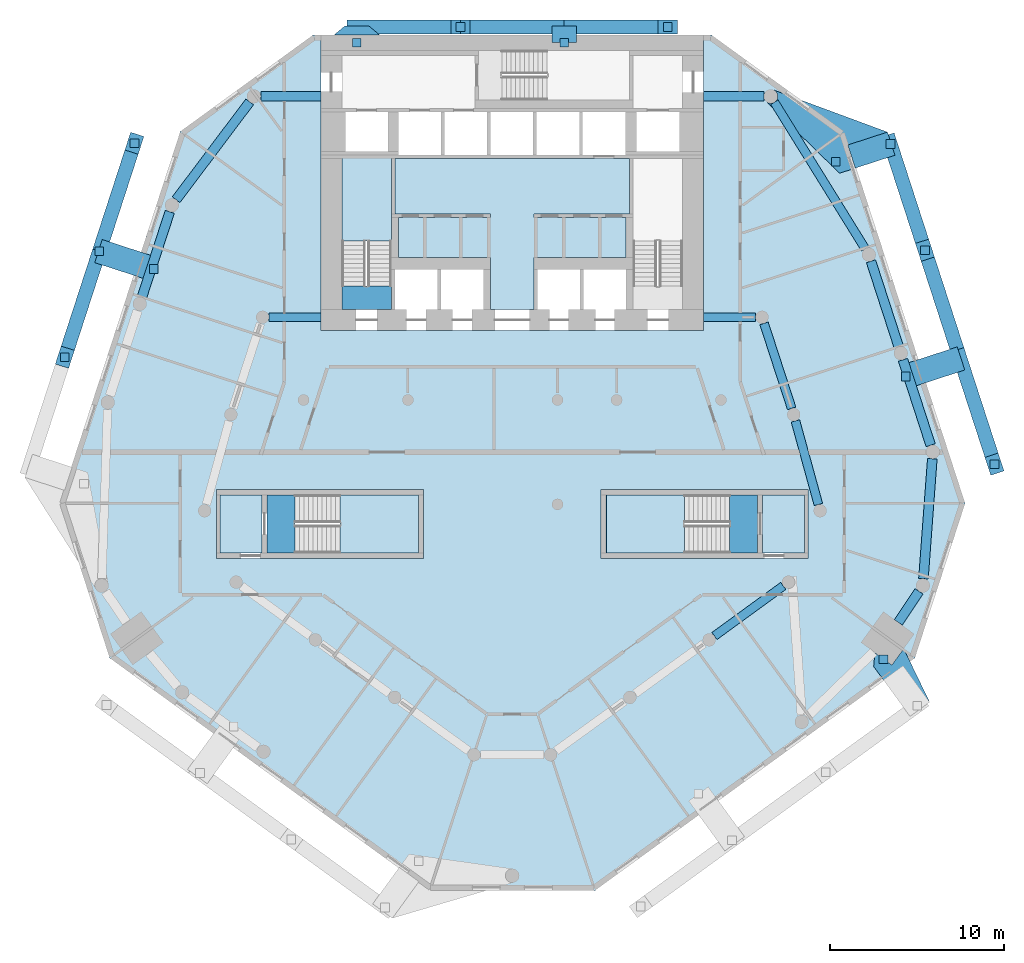
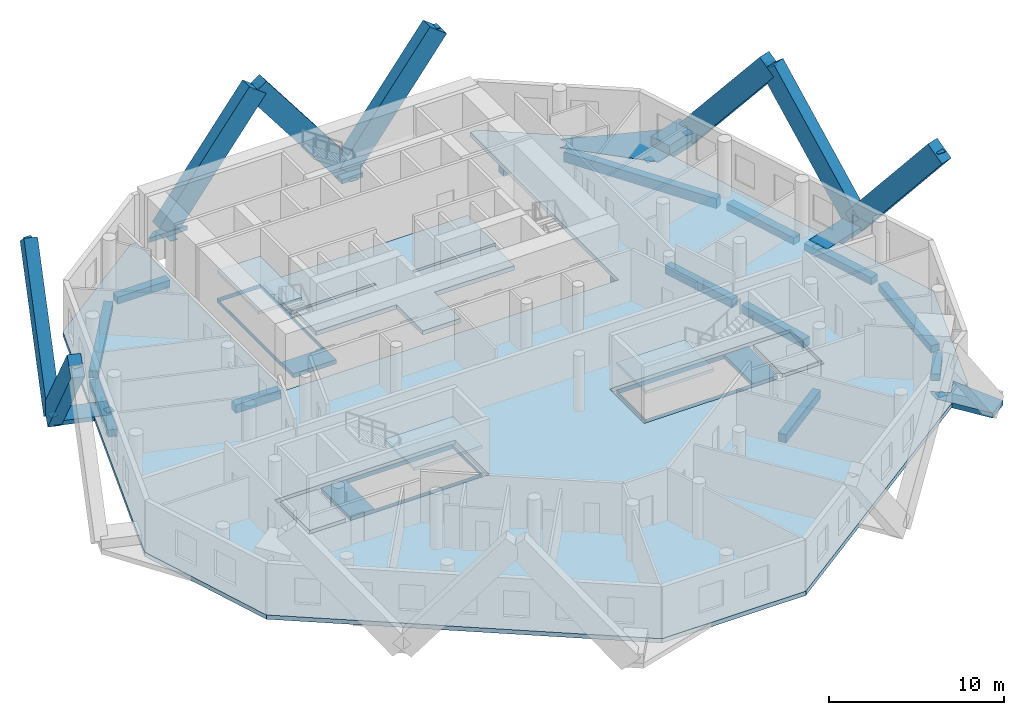
# One storey, part 2 of 10: 15 members, 14 beams, 14 discrete accessories, 10 slabs, 3 elements without a shape of their own.
"""IFC4 building model written with IfcOpenShell, lengths in metres."""

from ifc_helpers import new_model, si_unit, direction, frame, origin, origin_2d, place, context, subcontext, project, spatial, polyline, rectangle, outline, extrude, material, layer, layer_set, material_profile, profile_set, type_object, element, aggregate, save


model = new_model("IFC4")

# Units and contexts
model_context = context("Model", 3, precision=1e-05, world=origin(), true_north=direction((0.0, 1.0)))
body_context = subcontext(model_context, "Body", "Model", "MODEL_VIEW")
ifc_project = project(units=[si_unit("LENGTHUNIT", "METRE"), si_unit("AREAUNIT", "SQUARE_METRE"), si_unit("VOLUMEUNIT", "CUBIC_METRE"), si_unit("PLANEANGLEUNIT", "RADIAN"), si_unit("MASSUNIT", "GRAM", prefix="KILO")], contexts=[model_context])

# Site, building, storey
site_placement = place(None, origin())
site = spatial("IfcSite", under=ifc_project, at=site_placement, CompositionType="ELEMENT")
building_placement = place(site_placement, origin())
building = spatial("IfcBuilding", under=site, at=building_placement, Name="White Candle Pilgrim Tower", CompositionType="ELEMENT")
storey_placement = place(building_placement, frame((0.0, 0.0, 78.0)))
storey = spatial("IfcBuildingStorey", under=building, at=storey_placement, Name="L16", CompositionType="ELEMENT", Elevation=78.0)

# Member
ifc_material_1 = material(Name="Concrete C80/95, white", Category="concrete")
ifc_material_profile_1 = material_profile(ifc_material_1, rectangle(XDim=0.800048828125, YDim=1.39990234375, at=origin_2d()), Name="RC-DG 800x1400")
ifc_profile_set_1 = profile_set([ifc_material_profile_1], Name="Concrete C80/95, white")
member_type_1 = type_object("IfcMemberType", Name="Exoskeleton diagonal RC-DG 800x1400 C80/95", PredefinedType="BRACE", material=ifc_profile_set_1)
member_1_placement = place(storey_placement, frame((72.97900390625, 88.449951171875, 0.0), z_axis=(0.607017009113, 0.0, 0.794688838885), x_axis=(0.0, 1.0, 0.0)))
member_1 = element("IfcMember", 1, at=member_1_placement, inside=storey, type_object=member_type_1, Name="Exoskeleton diagonal EX010", PredefinedType="BRACE", context=body_context, shape_type="SweptSolid", body=[
    extrude(rectangle(XDim=0.800048828125, YDim=1.39990234375, at=origin_2d()), origin(), (0.0, 0.0, 1.0), 9.815185546875),
])

member_2_placement = place(storey_placement, frame((72.97900390625, 88.449951171875, 0.0), z_axis=(-0.607017009113, 0.0, 0.794688838885), x_axis=(0.0, -1.0, 0.0)))
member_2 = element("IfcMember", 2, at=member_2_placement, inside=storey, type_object=member_type_1, Name="Exoskeleton diagonal EX011", PredefinedType="BRACE", context=body_context, shape_type="SweptSolid", body=[
    extrude(rectangle(XDim=0.800048828125, YDim=1.39990234375, at=origin_2d()), origin(), (0.0, 0.0, 1.0), 9.815185546875),
])

member_3_placement = place(storey_placement, frame((61.06298828125, 88.449951171875, 0.0), z_axis=(0.607017009113, 0.0, 0.794688838885), x_axis=(0.0, 1.0, 0.0)))
element("IfcMember", 3, at=member_3_placement, inside=storey, type_object=member_type_1, Name="Exoskeleton diagonal EX012", PredefinedType="BRACE", context=body_context, shape_type="SweptSolid", body=[
    extrude(rectangle(XDim=0.800048828125, YDim=1.39990234375, at=origin_2d()), origin(), (0.0, 0.0, 1.0), 9.815185546875),
])

member_4_placement = place(storey_placement, frame((95.75390625, 69.372802734375, 0.0), z_axis=(0.195559658009, -0.60182642554, 0.774313485405), x_axis=(0.951049828906, 0.309037575284, 0.0)))
member_4 = element("IfcMember", 4, at=member_4_placement, inside=storey, type_object=member_type_1, Name="Exoskeleton diagonal EX022", PredefinedType="BRACE", context=body_context, shape_type="SweptSolid", body=[
    extrude(rectangle(XDim=0.800048828125, YDim=1.39990234375, at=origin_2d()), origin(), (0.0, 0.0, 1.0), 10.073486328125),
])

member_5_placement = place(storey_placement, frame((95.75390625, 69.372802734375, 0.0), z_axis=(-0.198895771773, 0.61213808887, 0.765328316558), x_axis=(-0.951056493517, -0.309017064478, 0.0)))
member_5 = element("IfcMember", 5, at=member_5_placement, inside=storey, type_object=member_type_1, Name="Exoskeleton diagonal EX023", PredefinedType="BRACE", context=body_context, shape_type="SweptSolid", body=[
    extrude(rectangle(XDim=0.800048828125, YDim=1.39990234375, at=origin_2d()), origin(), (0.0, 0.0, 1.0), 10.191650390625),
])

member_6_placement = place(storey_placement, frame((91.74072265625, 81.72412109375, 0.0), z_axis=(0.196508580242, -0.604792295454, 0.771758159822), x_axis=(0.95105667744, 0.309016498421, 0.0)))
member_6 = element("IfcMember", 6, at=member_6_placement, inside=storey, type_object=member_type_1, Name="Exoskeleton diagonal EX024", PredefinedType="BRACE", context=body_context, shape_type="SweptSolid", body=[
    extrude(rectangle(XDim=0.800048828125, YDim=1.39990234375, at=origin_2d()), origin(), (0.0, 0.0, 1.0), 10.10693359375),
])

member_7_placement = place(storey_placement, frame((46.252685546875, 75.54833984375, 0.0), z_axis=(0.198429967731, 0.610718013137, 0.766582713304), x_axis=(-0.951058504215, 0.309010876119, 0.0)))
member_7 = element("IfcMember", 7, at=member_7_placement, inside=storey, type_object=member_type_1, Name="Exoskeleton diagonal EX058", PredefinedType="BRACE", context=body_context, shape_type="SweptSolid", body=[
    extrude(rectangle(XDim=0.800048828125, YDim=1.39990234375, at=origin_2d()), origin(), (0.0, 0.0, 1.0), 10.175048828125),
])

member_8_placement = place(storey_placement, frame((46.252685546875, 75.54833984375, 0.0), z_axis=(-0.196036731764, -0.603305340631, 0.773040921145), x_axis=(0.951051446007, -0.309032598682, 0.0)))
member_8 = element("IfcMember", 8, at=member_8_placement, inside=storey, type_object=member_type_1, Name="Exoskeleton diagonal EX059", PredefinedType="BRACE", context=body_context, shape_type="SweptSolid", body=[
    extrude(rectangle(XDim=0.800048828125, YDim=1.39990234375, at=origin_2d()), origin(), (0.0, 0.0, 1.0), 10.090087890625),
])

ifc_material_2 = material(Name="Concrete C70/85, white", Category="concrete")
ifc_layer_1 = layer(ifc_material_2, 0.300048828125)
ifc_layer_set_1 = layer_set([ifc_layer_1], Name="Node tie strut 3350x1400x300 C70/85")
member_type_2 = type_object("IfcMemberType", Name="Node tie strut 3350x1400x300 C70/85", PredefinedType="STRUT", material=ifc_layer_set_1)
member_9_placement = place(storey_placement, frame((94.20849609375, 68.87060546875, -0.2998046875), z_axis=(0.0, 0.0, 1.0), x_axis=(-0.309016994375, 0.951056516295, 0.0)))
member_9 = element("IfcMember", 9, at=member_9_placement, inside=storey, type_object=member_type_2, Name="Node tie strut NC031", PredefinedType="STRUT", context=body_context, shape_type="SweptSolid", body=[
    extrude(rectangle(XDim=1.39990234375, YDim=3.35009765625, at=origin_2d()), origin(), (0.0, 0.0, 1.0), 0.300048828125),
])

member_10_placement = place(storey_placement, frame((0.0, 0.0, -0.35009765625)))
member_10 = element("IfcMember", 10, at=member_10_placement, inside=storey, type_object=member_type_2, Name="Node tie strut NC032", PredefinedType="STRUT", context=body_context, shape_type="SweptSolid", body=[
    extrude(outline(polyline([(88.818603515625, 80.03857421875), (92.004638671875, 81.07373046875), (91.572021484375, 82.4052734375), (84.988525390625, 84.8388671875), (85.01318359375, 84.82958984375), (85.036865234375, 84.818603515625), (85.06005859375, 84.806396484375), (85.082275390625, 84.79248046875), (85.103515625, 84.77734375), (85.123779296875, 84.7607421875), (85.142822265625, 84.742919921875), (85.16064453125, 84.7236328125), (85.17724609375, 84.70361328125), (85.192626953125, 84.68212890625), (85.206298828125, 84.659912109375), (85.21875, 84.636962890625), (85.2294921875, 84.613037109375), (85.23876953125, 84.588623046875), (85.246337890625, 84.5634765625), (85.252197265625, 84.5380859375), (85.256591796875, 84.51220703125), (85.259033203125, 84.486083984375), (85.260009765625, 84.4599609375), (85.259033203125, 84.433837890625), (85.256591796875, 84.40771484375), (85.252197265625, 84.382080078125), (85.246337890625, 84.3564453125), (85.23876953125, 84.331298828125), (85.2294921875, 84.306884765625), (85.21875, 84.283203125), (85.206298828125, 84.260009765625), (85.192626953125, 84.23779296875), (85.17724609375, 84.216552734375), (85.16064453125, 84.1962890625), (85.142822265625, 84.17724609375), (85.123779296875, 84.1591796875), (85.103515625, 84.142578125), (85.082275390625, 84.12744140625), (85.06005859375, 84.113525390625), (85.036865234375, 84.101318359375), (85.01318359375, 84.09033203125), (84.988525390625, 84.081298828125), (84.96337890625, 84.073486328125), (84.93798828125, 84.067626953125), (84.912109375, 84.0634765625), (84.88623046875, 84.060791015625), (84.860107421875, 84.06005859375), (84.833740234375, 84.060791015625), (84.807861328125, 84.0634765625), (84.781982421875, 84.067626953125), (84.756591796875, 84.073486328125), (84.7314453125, 84.081298828125), (84.706787109375, 84.09033203125), (84.68310546875, 84.101318359375), (84.659912109375, 84.113525390625), (84.6376953125, 84.12744140625), (84.616455078125, 84.142578125), (84.59619140625, 84.1591796875), (84.5771484375, 84.17724609375), (88.818603515625, 80.03857421875)])), origin(), (0.0, 0.0, 1.0), 0.35009765625),
])

member_11_placement = place(storey_placement, origin())
element("IfcMember", 11, at=member_11_placement, inside=storey, type_object=member_type_2, Name="Node tie strut NC032", PredefinedType="STRUT", context=body_context, shape_type="SweptSolid", body=[
    extrude(outline(polyline([(89.72216796875, 80.33203125), (92.004638671875, 81.07373046875), (91.572021484375, 82.4052734375), (89.28955078125, 81.66357421875), (89.72216796875, 80.33203125)])), origin(), (0.0, 0.0, 1.0), 0.64990234375),
])

member_12_placement = place(storey_placement, frame((47.798095703125, 75.04638671875, -0.2998046875), z_axis=(0.0, 0.0, 1.0), x_axis=(-0.309016994375, -0.951056516295, 0.0)))
member_12 = element("IfcMember", 12, at=member_12_placement, inside=storey, type_object=member_type_2, Name="Node tie strut NC039", PredefinedType="STRUT", context=body_context, shape_type="SweptSolid", body=[
    extrude(rectangle(XDim=1.39990234375, YDim=3.35009765625, at=origin_2d()), origin(), (0.0, 0.0, 1.0), 0.300048828125),
])

ifc_layer_2 = layer(ifc_material_2, 0.300048828125)
ifc_layer_set_2 = layer_set([ifc_layer_2], Name="Node tie strut 3550x1400x300 C70/85")
member_type_3 = type_object("IfcMemberType", Name="Node tie strut 3550x1400x300 C70/85", PredefinedType="STRUT", material=ifc_layer_set_2)
member_13_placement = place(storey_placement, frame((0.0, 0.0, -0.35009765625)))
member_13 = element("IfcMember", 13, at=member_13_placement, inside=storey, type_object=member_type_3, Name="Node tie strut NC036", PredefinedType="STRUT", context=body_context, shape_type="SweptSolid", body=[
    extrude(outline(polyline([(92.864990234375, 48.80712890625), (93.99755859375, 49.6298828125), (92.50634765625, 52.70361328125), (91.823486328125, 51.763427734375), (90.848388671875, 52.4716796875), (90.7783203125, 51.67919921875), (92.864990234375, 48.80712890625)])), origin(), (0.0, 0.0, 1.0), 0.35009765625),
])

ifc_layer_3 = layer(ifc_material_2, 0.300048828125)
ifc_layer_set_3 = layer_set([ifc_layer_3], Name="Node tie strut 950x1400x300 C70/85")
member_type_4 = type_object("IfcMemberType", Name="Node tie strut 950x1400x300 C70/85", PredefinedType="STRUT", material=ifc_layer_set_3)
member_14_placement = place(storey_placement, frame((72.97900390625, 88.02490234375, -0.2998046875), z_axis=(0.0, 0.0, 1.0), x_axis=(-1.0, 0.0, 0.0)))
member_14 = element("IfcMember", 14, at=member_14_placement, inside=storey, type_object=member_type_4, Name="Node tie strut NC033", PredefinedType="STRUT", context=body_context, shape_type="SweptSolid", body=[
    extrude(rectangle(XDim=1.39990234375, YDim=0.949951171875, at=origin_2d()), origin(), (0.0, 0.0, 1.0), 0.300048828125),
])

member_15_placement = place(storey_placement, frame((0.0, 0.0, -0.300048828125)))
member_15 = element("IfcMember", 15, at=member_15_placement, inside=storey, type_object=member_type_4, Name="Node tie strut NC034", PredefinedType="STRUT", context=body_context, shape_type="SweptSolid", body=[
    extrude(outline(polyline([(59.762939453125, 88.0), (62.363037109375, 88.0), (61.762939453125, 88.5), (60.363037109375, 88.5), (59.762939453125, 88.0)])), origin(), (0.0, 0.0, 1.0), 0.300048828125),
])

# Beams
ifc_material_3 = material(Name="Concrete C50/60", Category="concrete")
ifc_material_profile_2 = material_profile(ifc_material_3, rectangle(XDim=0.5, YDim=0.60009765625, at=origin_2d()), Name="RC-BM 500x600")
ifc_profile_set_2 = profile_set([ifc_material_profile_2], Name="Concrete C50/60")
beam_type_1 = type_object("IfcBeamType", Name="Ring beam RC-BM 500x600 C50/60", PredefinedType="BEAM", material=ifc_profile_set_2)
beam_1_placement = place(storey_placement, frame((81.623046875, 53.4306640625, -0.60009765625), z_axis=(0.808431607518, 0.58859012561, 0.0), x_axis=(-0.58859012561, 0.808431607518, 0.0)))
element("IfcBeam", 16, at=beam_1_placement, inside=storey, type_object=beam_type_1, Name="L16 ring beam R07", PredefinedType="BEAM", context=body_context, shape_type="SweptSolid", body=[
    extrude(rectangle(XDim=0.5, YDim=0.60009765625, at=origin_2d()), origin(), (0.0, 0.0, 1.0), 4.890869140625),
])
beam_2_placement = place(storey_placement, frame((87.6005859375, 60.991455078125, -0.60009765625), z_axis=(-0.265031278819, 0.964239815216, 0.0), x_axis=(-0.964239815216, -0.265031278819, 0.0)))
element("IfcBeam", 17, at=beam_2_placement, inside=storey, type_object=beam_type_1, Name="L16 ring beam R08", PredefinedType="BEAM", context=body_context, shape_type="SweptSolid", body=[
    extrude(rectangle(XDim=0.5, YDim=0.60009765625, at=origin_2d()), origin(), (0.0, 0.0, 1.0), 4.9853515625),
])
beam_3_placement = place(storey_placement, frame((86.064208984375, 66.5166015625, -0.60009765625), z_axis=(-0.309106483996, 0.9510274347, 0.0), x_axis=(-0.9510274347, -0.309106483996, 0.0)))
element("IfcBeam", 18, at=beam_3_placement, inside=storey, type_object=beam_type_1, Name="L16 ring beam R09", PredefinedType="BEAM", context=body_context, shape_type="SweptSolid", body=[
    extrude(rectangle(XDim=0.5, YDim=0.60009765625, at=origin_2d()), origin(), (0.0, 0.0, 1.0), 5.138671875),
])
for number, where, z_axis, x_axis, name in (
    (19, (83.985107421875, 71.760009765625, -0.60009765625), (-1.0, 0.0, 0.0), (0.0, -1.0, 0.0), "L16 ring beam R10"),
    (20, (56.014892578125, 71.760009765625, -0.60009765625), (1.0, 0.0, 0.0), (0.0, 1.0, 0.0), "L16 ring beam R11"),
):
    element("IfcBeam", number, at=place(storey_placement, frame(where, z_axis=z_axis, x_axis=x_axis)), inside=storey, type_object=beam_type_1, Name=name, PredefinedType="BEAM", context=body_context, shape_type="SweptSolid", body=[
        extrude(rectangle(XDim=0.5, YDim=0.60009765625, at=origin_2d()), origin(), (0.0, 0.0, 1.0), 2.985107421875),
    ])
ifc_material_profile_3 = material_profile(ifc_material_3, rectangle(XDim=0.5, YDim=0.699951171875, at=origin_2d()), Name="RC-BM 500x700")
ifc_profile_set_3 = profile_set([ifc_material_profile_3], Name="Concrete C50/60")
beam_type_2 = type_object("IfcBeamType", Name="Spandrel beam RC-BM 500x700 C50/60", PredefinedType="BEAM", material=ifc_profile_set_3)
beam_4_placement = place(storey_placement, frame((90.289306640625, 75.69970703125, -0.64990234375), z_axis=(-0.526800809553, 0.849988768781, 0.0), x_axis=(-0.849988768781, -0.526800809553, 0.0)))
element("IfcBeam", 21, at=beam_4_placement, inside=storey, type_object=beam_type_2, Name="L16 spandrel beam T10", PredefinedType="BEAM", context=body_context, shape_type="SweptSolid", body=[
    extrude(rectangle(XDim=0.5, YDim=0.699951171875, at=origin_2d()), origin(), (0.0, 0.0, 1.0), 9.906494140625),
])
ifc_material_profile_4 = material_profile(ifc_material_3, rectangle(XDim=0.550048828125, YDim=0.5, at=origin_2d()), Name="RC-BM 550x500")
ifc_profile_set_4 = profile_set([ifc_material_profile_4], Name="Concrete C50/60")
beam_type_3 = type_object("IfcBeamType", Name="Spandrel beam RC-BM 550x500 C50/60", PredefinedType="BEAM", material=ifc_profile_set_4)
beam_5_placement = place(storey_placement, frame((92.192626953125, 54.214599609375, -0.550048828125), z_axis=(0.556641005169, 0.830753147069, 0.0), x_axis=(-0.830753147069, 0.556641005169, 0.0)))
element("IfcBeam", 22, at=beam_5_placement, inside=storey, type_object=beam_type_3, Name="L16 spandrel beam T06", PredefinedType="BEAM", context=body_context, shape_type="SweptSolid", body=[
    extrude(rectangle(XDim=0.550048828125, YDim=0.5, at=origin_2d()), origin(), (0.0, 0.0, 1.0), 2.146484375),
])
beam_6_placement = place(storey_placement, frame((93.6396484375, 56.728759765625, -0.550048828125), z_axis=(0.073900311906, 0.99726563357, 0.0), x_axis=(-0.99726563357, 0.073900311906, 0.0)))
element("IfcBeam", 23, at=beam_6_placement, inside=storey, type_object=beam_type_3, Name="L16 spandrel beam T07", PredefinedType="BEAM", context=body_context, shape_type="SweptSolid", body=[
    extrude(rectangle(XDim=0.550048828125, YDim=0.5, at=origin_2d()), origin(), (0.0, 0.0, 1.0), 6.9111328125),
])
for number, where, z_axis, x_axis, name in (
    (24, (94.056640625, 64.400390625, -0.550048828125), (-0.308682827488, 0.951165028801, 0.0), (-0.951165028801, -0.308682827488, 0.0), "L16 spandrel beam T08"),
    (25, (92.216552734375, 70.0703125, -0.550048828125), (-0.308682827488, 0.951165028801, 0.0), (-0.951165028801, -0.308682827488, 0.0), "L16 spandrel beam T09"),
):
    element("IfcBeam", number, at=place(storey_placement, frame(where, z_axis=z_axis, x_axis=x_axis)), inside=storey, type_object=beam_type_3, Name=name, PredefinedType="BEAM", context=body_context, shape_type="SweptSolid", body=[
        extrude(rectangle(XDim=0.550048828125, YDim=0.5, at=origin_2d()), origin(), (0.0, 0.0, 1.0), 5.161376953125),
    ])
for number, where, z_axis, x_axis, name in (
    (26, (84.4599609375, 84.4599609375, -0.550048828125), (-1.0, 0.0, 0.0), (0.0, -1.0, 0.0), "L16 spandrel beam T11"),
    (27, (55.5400390625, 84.4599609375, -0.550048828125), (1.0, 0.0, 0.0), (0.0, 1.0, 0.0), "L16 spandrel beam T12"),
):
    element("IfcBeam", number, at=place(storey_placement, frame(where, z_axis=z_axis, x_axis=x_axis)), inside=storey, type_object=beam_type_3, Name=name, PredefinedType="BEAM", context=body_context, shape_type="SweptSolid", body=[
        extrude(rectangle(XDim=0.550048828125, YDim=0.5, at=origin_2d()), origin(), (0.0, 0.0, 1.0), 3.4599609375),
    ])
beam_7_placement = place(storey_placement, frame((54.899658203125, 84.140380859375, -0.550048828125), z_axis=(-0.601237643972, -0.79907026942, 0.0), x_axis=(0.79907026942, -0.601237643972, 0.0)))
element("IfcBeam", 28, at=beam_7_placement, inside=storey, type_object=beam_type_3, Name="L16 spandrel beam T13", PredefinedType="BEAM", context=body_context, shape_type="SweptSolid", body=[
    extrude(rectangle(XDim=0.550048828125, YDim=0.5, at=origin_2d()), origin(), (0.0, 0.0, 1.0), 7.0341796875),
])
beam_8_placement = place(storey_placement, frame((50.305908203125, 77.81982421875, -0.550048828125), z_axis=(-0.310165508273, -0.950682574511, 0.0), x_axis=(0.950682574511, -0.310165508273, 0.0)))
element("IfcBeam", 29, at=beam_8_placement, inside=storey, type_object=beam_type_3, Name="L16 spandrel beam T14", PredefinedType="BEAM", context=body_context, shape_type="SweptSolid", body=[
    extrude(rectangle(XDim=0.550048828125, YDim=0.5, at=origin_2d()), origin(), (0.0, 0.0, 1.0), 5.164306640625),
])

# Slabs
ifc_material_4 = material(Name="Concrete C40/50", Category="concrete")
ifc_layer_4 = layer(ifc_material_4, 0.300048828125)
ifc_layer_set_4 = layer_set([ifc_layer_4], Name="Core floor slab 300 mm Concrete C40/50")
slab_type_1 = type_object("IfcSlabType", Name="Core floor slab 300 mm Concrete C40/50", PredefinedType="FLOOR", material=ifc_layer_set_4)
slab_1_placement = place(storey_placement, frame((0.0, 0.0, -0.300048828125)))
element("IfcSlab", 30, at=slab_1_placement, inside=storey, type_object=slab_type_1, Name="CF-L16-01", PredefinedType="FLOOR", context=body_context, shape_type="SweptSolid", body=[
    extrude(outline(polyline([(55.60009765625, 58.199951171875), (53.199951171875, 58.199951171875), (53.199951171875, 61.550048828125), (55.60009765625, 61.550048828125), (55.60009765625, 58.199951171875)])), origin(), (0.0, 0.0, 1.0), 0.300048828125),
])
slab_2_placement = place(storey_placement, frame((0.0, 0.0, -0.300048828125)))
element("IfcSlab", 31, at=slab_2_placement, inside=storey, type_object=slab_type_1, Name="CF-L16-02", PredefinedType="FLOOR", context=body_context, shape_type="SweptSolid", body=[
    extrude(outline(polyline([(55.89990234375, 58.199951171875), (55.89990234375, 61.550048828125), (64.60009765625, 61.550048828125), (64.60009765625, 58.199951171875), (55.89990234375, 58.199951171875)]), holes=[polyline([(57.501953125, 61.548095703125), (57.501953125, 58.201904296875), (64.597900390625, 58.201904296875), (64.597900390625, 61.548095703125), (57.501953125, 61.548095703125)])]), origin(), (0.0, 0.0, 1.0), 0.300048828125),
])
slab_3_placement = place(storey_placement, frame((0.0, 0.0, -0.300048828125)))
element("IfcSlab", 32, at=slab_3_placement, inside=storey, type_object=slab_type_1, Name="CF-L16-03", PredefinedType="FLOOR", context=body_context, shape_type="SweptSolid", body=[
    extrude(outline(polyline([(75.39990234375, 58.199951171875), (75.39990234375, 61.550048828125), (84.10009765625, 61.550048828125), (84.10009765625, 58.199951171875), (75.39990234375, 58.199951171875)]), holes=[polyline([(82.498046875, 58.201904296875), (82.498046875, 61.548095703125), (75.402099609375, 61.548095703125), (75.402099609375, 58.201904296875), (82.498046875, 58.201904296875)])]), origin(), (0.0, 0.0, 1.0), 0.300048828125),
])
slab_4_placement = place(storey_placement, frame((0.0, 0.0, -0.300048828125)))
element("IfcSlab", 33, at=slab_4_placement, inside=storey, type_object=slab_type_1, Name="CF-L16-04", PredefinedType="FLOOR", context=body_context, shape_type="SweptSolid", body=[
    extrude(outline(polyline([(86.800048828125, 58.199951171875), (84.39990234375, 58.199951171875), (84.39990234375, 61.550048828125), (86.800048828125, 61.550048828125), (86.800048828125, 58.199951171875)])), origin(), (0.0, 0.0, 1.0), 0.300048828125),
])
slab_5_placement = place(storey_placement, frame((0.0, 0.0, -0.300048828125)))
element("IfcSlab", 34, at=slab_5_placement, inside=storey, type_object=slab_type_1, Name="CF-L16-08", PredefinedType="FLOOR", context=body_context, shape_type="SweptSolid", body=[
    extrude(outline(polyline([(68.75, 72.199951171875), (68.75, 74.5), (68.75, 75.199951171875), (63.449951171875, 75.199951171875), (63.449951171875, 77.5), (68.75, 77.5), (68.75, 77.699951171875), (63.25, 77.699951171875), (63.25, 80.89990234375), (76.75, 80.89990234375), (76.75, 77.699951171875), (71.25, 77.699951171875), (71.25, 77.5), (76.550048828125, 77.5), (76.550048828125, 75.199951171875), (71.25, 75.199951171875), (71.25, 74.5), (71.25, 72.199951171875), (68.75, 72.199951171875)])), origin(), (0.0, 0.0, 1.0), 0.300048828125),
])
slab_6_placement = place(storey_placement, frame((0.0, 0.0, -0.300048828125)))
element("IfcSlab", 35, at=slab_6_placement, inside=storey, type_object=slab_type_1, Name="CF-L16-09", PredefinedType="FLOOR", context=body_context, shape_type="SweptSolid", body=[
    extrude(outline(polyline([(60.199951171875, 72.199951171875), (60.199951171875, 80.89990234375), (63.050048828125, 80.89990234375), (63.050048828125, 77.699951171875), (63.050048828125, 77.5), (63.050048828125, 75.199951171875), (63.050048828125, 74.5), (63.050048828125, 72.199951171875), (60.199951171875, 72.199951171875)]), holes=[polyline([(60.201904296875, 73.552001953125), (63.048095703125, 73.552001953125), (63.048095703125, 80.89794921875), (60.201904296875, 80.89794921875), (60.201904296875, 73.552001953125)])]), origin(), (0.0, 0.0, 1.0), 0.300048828125),
])
ifc_layer_5 = layer(ifc_material_4, 0.300048828125)
ifc_layer_set_5 = layer_set([ifc_layer_5], Name="Floor slab 300 REI 120")
slab_type_2 = type_object("IfcSlabType", Name="Floor slab 300 REI 120", PredefinedType="FLOOR", material=ifc_layer_set_5)
slab_7_placement = place(storey_placement, frame((0.0, 0.0, -0.300048828125)))
element("IfcSlab", 36, at=slab_7_placement, inside=storey, type_object=slab_type_2, Name="L16 floor slab", PredefinedType="FLOOR", context=body_context, shape_type="SweptSolid", body=[
    extrude(outline(polyline([(65.2509765625, 38.797119140625), (74.7490234375, 38.797119140625), (93.14599609375, 52.163330078125), (96.03662109375, 61.059814453125), (89.08984375, 82.43994140625), (81.43701171875, 88.0), (81.0, 88.0), (81.0, 71.0), (59.0, 71.0), (59.0, 88.0), (58.56298828125, 88.0), (50.91015625, 82.43994140625), (43.96337890625, 61.059814453125), (46.85400390625, 52.163330078125), (65.2509765625, 38.797119140625)]), holes=[polyline([(53.0, 57.89990234375), (53.0, 61.85009765625), (64.89990234375, 61.85009765625), (64.89990234375, 57.89990234375), (53.0, 57.89990234375)]), polyline([(75.10009765625, 57.89990234375), (75.10009765625, 61.85009765625), (87.0, 61.85009765625), (87.0, 57.89990234375), (75.10009765625, 57.89990234375)])]), origin(), (0.0, 0.0, 1.0), 0.300048828125),
])

# Stair, slab
stair_type_1 = type_object("IfcStairType", Name="Exit stair 1 flight width 1350 mm", PredefinedType="HALF_TURN_STAIR", material=ifc_material_4)
stair_1_placement = place(storey_placement, origin())
stair_1 = element("IfcStair", 37, at=stair_1_placement, inside=storey, type_object=stair_type_1, Name="L16 stair 1", PredefinedType="NOTDEFINED")
ifc_layer_6 = layer(ifc_material_4, 0.199951171875)
ifc_layer_set_6 = layer_set([ifc_layer_6], Name="Stair landing Concrete C40/50")
slab_type_3 = type_object("IfcSlabType", Name="Stair landing Concrete C40/50", PredefinedType="LANDING", material=ifc_layer_set_6)
slab_8_placement = place(storey_placement, frame((0.0, 0.0, 1.75)))
slab_8 = element("IfcSlab", 38, at=slab_8_placement, type_object=slab_type_3, Name="ST1 landing 1", PredefinedType="LANDING", context=body_context, shape_type="SweptSolid", body=[
    extrude(outline(polyline([(63.052001953125, 76.14794921875), (60.197998046875, 76.14794921875), (60.197998046875, 80.902099609375), (63.052001953125, 80.902099609375), (63.052001953125, 76.14794921875)])), origin(), (0.0, 0.0, 1.0), 0.199951171875),
])
aggregate(stair_1, [slab_8])

stair_type_2 = type_object("IfcStairType", Name="Exit stair 4 flight width 1600 mm", PredefinedType="HALF_TURN_STAIR", material=ifc_material_4)
stair_2_placement = place(storey_placement, origin())
stair_2 = element("IfcStair", 39, at=stair_2_placement, inside=storey, type_object=stair_type_2, Name="L16 stair 4", PredefinedType="NOTDEFINED")
slab_9_placement = place(storey_placement, frame((0.0, 0.0, 1.75)))
slab_9 = element("IfcSlab", 40, at=slab_9_placement, type_object=slab_type_3, Name="ST4 landing 1", PredefinedType="LANDING", context=body_context, shape_type="SweptSolid", body=[
    extrude(outline(polyline([(79.902099609375, 61.552001953125), (79.902099609375, 58.197998046875), (75.39794921875, 58.197998046875), (75.39794921875, 61.552001953125), (79.902099609375, 61.552001953125)])), origin(), (0.0, 0.0, 1.0), 0.199951171875),
])
aggregate(stair_2, [slab_9])

stair_type_3 = type_object("IfcStairType", Name="Exit stair 5 flight width 1600 mm", PredefinedType="HALF_TURN_STAIR", material=ifc_material_4)
stair_3_placement = place(storey_placement, origin())
stair_3 = element("IfcStair", 41, at=stair_3_placement, inside=storey, type_object=stair_type_3, Name="L16 stair 5", PredefinedType="NOTDEFINED")
slab_10_placement = place(storey_placement, frame((0.0, 0.0, 1.75)))
slab_10 = element("IfcSlab", 42, at=slab_10_placement, type_object=slab_type_3, Name="ST5 landing 1", PredefinedType="LANDING", context=body_context, shape_type="SweptSolid", body=[
    extrude(outline(polyline([(60.097900390625, 58.197998046875), (60.097900390625, 61.552001953125), (64.60205078125, 61.552001953125), (64.60205078125, 58.197998046875), (60.097900390625, 58.197998046875)])), origin(), (0.0, 0.0, 1.0), 0.199951171875),
])
aggregate(stair_3, [slab_10])

# Discrete accessory
ifc_material_5 = material(Name="Steel S355", Category="steel")
ifc_layer_7 = layer(ifc_material_5, 0.02490234375)
ifc_layer_set_7 = layer_set([ifc_layer_7], Name="Gusset plate 500x500x25 S355")
discrete_accessory_type = type_object("IfcDiscreteAccessoryType", Name="Gusset plate 500x500x25 S355", PredefinedType="BRACKET", material=ifc_layer_set_7)
placement = place(building_placement, frame((0.0, 0.0, 85.800048828125)))
discrete_accessory_1_placement = place(placement, frame((78.93701171875, 88.449951171875, -0.012451171875), z_axis=(0.0, 0.0, 1.0), x_axis=(1.0, 0.0, 0.0)))
discrete_accessory_1 = element("IfcDiscreteAccessory", 43, at=discrete_accessory_1_placement, type_object=discrete_accessory_type, Name="Gusset plate 0009", PredefinedType="BRACKET", context=body_context, shape_type="SweptSolid", body=[
    extrude(rectangle(XDim=0.5, YDim=0.5, at=origin_2d()), origin(), (0.0, 0.0, 1.0), 0.02490234375),
])

aggregate(member_1, [discrete_accessory_1])

discrete_accessory_2_placement = place(placement, frame((67.02099609375, 88.449951171875, -0.012451171875), z_axis=(0.0, 0.0, 1.0), x_axis=(1.0, 0.0, 0.0)))
discrete_accessory_2 = element("IfcDiscreteAccessory", 44, at=discrete_accessory_2_placement, type_object=discrete_accessory_type, Name="Gusset plate 0010", PredefinedType="BRACKET", context=body_context, shape_type="SweptSolid", body=[
    extrude(rectangle(XDim=0.5, YDim=0.5, at=origin_2d()), origin(), (0.0, 0.0, 1.0), 0.02490234375),
])

aggregate(member_2, [discrete_accessory_2])

discrete_accessory_3_placement = place(placement, frame((97.723876953125, 63.310302734375, -0.012451171875), z_axis=(0.0, 0.0, 1.0), x_axis=(1.0, 0.0, 0.0)))
discrete_accessory_3 = element("IfcDiscreteAccessory", 45, at=discrete_accessory_3_placement, type_object=discrete_accessory_type, Name="Gusset plate 0022", PredefinedType="BRACKET", context=body_context, shape_type="SweptSolid", body=[
    extrude(rectangle(XDim=0.5, YDim=0.5, at=origin_2d()), origin(), (0.0, 0.0, 1.0), 0.02490234375),
])

aggregate(member_4, [discrete_accessory_3])

discrete_accessory_4_placement = place(placement, frame((93.726806640625, 75.611572265625, -0.012451171875), z_axis=(0.0, 0.0, 1.0), x_axis=(1.0, 0.0, 0.0)))
discrete_accessory_4 = element("IfcDiscreteAccessory", 46, at=discrete_accessory_4_placement, type_object=discrete_accessory_type, Name="Gusset plate 0023", PredefinedType="BRACKET", context=body_context, shape_type="SweptSolid", body=[
    extrude(rectangle(XDim=0.5, YDim=0.5, at=origin_2d()), origin(), (0.0, 0.0, 1.0), 0.02490234375),
])

aggregate(member_5, [discrete_accessory_4])

discrete_accessory_5_placement = place(storey_placement, frame((91.74072265625, 81.72412109375, -0.012451171875), z_axis=(0.0, 0.0, 1.0), x_axis=(1.0, 0.0, 0.0)))
discrete_accessory_5 = element("IfcDiscreteAccessory", 47, at=discrete_accessory_5_placement, type_object=discrete_accessory_type, Name="Gusset plate 0024", PredefinedType="BRACKET", context=body_context, shape_type="SweptSolid", body=[
    extrude(rectangle(XDim=0.5, YDim=0.5, at=origin_2d()), origin(), (0.0, 0.0, 1.0), 0.02490234375),
])

aggregate(member_6, [discrete_accessory_5])

discrete_accessory_6_placement = place(storey_placement, frame((46.252685546875, 75.54833984375, -0.012451171875), z_axis=(0.0, 0.0, 1.0), x_axis=(1.0, 0.0, 0.0)))
discrete_accessory_6 = element("IfcDiscreteAccessory", 48, at=discrete_accessory_6_placement, type_object=discrete_accessory_type, Name="Gusset plate 0066", PredefinedType="BRACKET", context=body_context, shape_type="SweptSolid", body=[
    extrude(rectangle(XDim=0.5, YDim=0.5, at=origin_2d()), origin(), (0.0, 0.0, 1.0), 0.02490234375),
])

discrete_accessory_7_placement = place(placement, frame((48.271728515625, 81.762451171875, -0.012451171875), z_axis=(0.0, 0.0, 1.0), x_axis=(1.0, 0.0, 0.0)))
discrete_accessory_7 = element("IfcDiscreteAccessory", 49, at=discrete_accessory_7_placement, type_object=discrete_accessory_type, Name="Gusset plate 0067", PredefinedType="BRACKET", context=body_context, shape_type="SweptSolid", body=[
    extrude(rectangle(XDim=0.5, YDim=0.5, at=origin_2d()), origin(), (0.0, 0.0, 1.0), 0.02490234375),
])

aggregate(member_7, [discrete_accessory_6, discrete_accessory_7])

discrete_accessory_8_placement = place(placement, frame((44.274658203125, 69.4609375, -0.012451171875), z_axis=(0.0, 0.0, 1.0), x_axis=(1.0, 0.0, 0.0)))
discrete_accessory_8 = element("IfcDiscreteAccessory", 50, at=discrete_accessory_8_placement, type_object=discrete_accessory_type, Name="Gusset plate 0068", PredefinedType="BRACKET", context=body_context, shape_type="SweptSolid", body=[
    extrude(rectangle(XDim=0.5, YDim=0.5, at=origin_2d()), origin(), (0.0, 0.0, 1.0), 0.02490234375),
])

aggregate(member_8, [discrete_accessory_8])

discrete_accessory_9_placement = place(storey_placement, frame((92.615478515625, 68.35302734375, -0.162353515625), z_axis=(0.0, 0.0, 1.0), x_axis=(1.0, 0.0, 0.0)))
discrete_accessory_9 = element("IfcDiscreteAccessory", 51, at=discrete_accessory_9_placement, type_object=discrete_accessory_type, Name="Gusset plate 0412", PredefinedType="BRACKET", context=body_context, shape_type="SweptSolid", body=[
    extrude(rectangle(XDim=0.5, YDim=0.5, at=origin_2d()), origin(), (0.0, 0.0, 1.0), 0.02490234375),
])

aggregate(member_9, [discrete_accessory_9])

discrete_accessory_10_placement = place(storey_placement, frame((88.602294921875, 80.704345703125, -0.162353515625), z_axis=(0.0, 0.0, 1.0), x_axis=(1.0, 0.0, 0.0)))
discrete_accessory_10 = element("IfcDiscreteAccessory", 52, at=discrete_accessory_10_placement, type_object=discrete_accessory_type, Name="Gusset plate 0413", PredefinedType="BRACKET", context=body_context, shape_type="SweptSolid", body=[
    extrude(rectangle(XDim=0.5, YDim=0.5, at=origin_2d()), origin(), (0.0, 0.0, 1.0), 0.02490234375),
])

aggregate(member_10, [discrete_accessory_10])

discrete_accessory_11_placement = place(storey_placement, frame((72.97900390625, 87.550048828125, -0.162353515625), z_axis=(0.0, 0.0, 1.0), x_axis=(1.0, 0.0, 0.0)))
discrete_accessory_11 = element("IfcDiscreteAccessory", 53, at=discrete_accessory_11_placement, type_object=discrete_accessory_type, Name="Gusset plate 0414", PredefinedType="BRACKET", context=body_context, shape_type="SweptSolid", body=[
    extrude(rectangle(XDim=0.5, YDim=0.5, at=origin_2d()), origin(), (0.0, 0.0, 1.0), 0.02490234375),
])

aggregate(member_14, [discrete_accessory_11])

discrete_accessory_12_placement = place(storey_placement, frame((61.06298828125, 87.550048828125, -0.162353515625), z_axis=(0.0, 0.0, 1.0), x_axis=(1.0, 0.0, 0.0)))
discrete_accessory_12 = element("IfcDiscreteAccessory", 54, at=discrete_accessory_12_placement, type_object=discrete_accessory_type, Name="Gusset plate 0415", PredefinedType="BRACKET", context=body_context, shape_type="SweptSolid", body=[
    extrude(rectangle(XDim=0.5, YDim=0.5, at=origin_2d()), origin(), (0.0, 0.0, 1.0), 0.02490234375),
])

aggregate(member_15, [discrete_accessory_12])

discrete_accessory_13_placement = place(storey_placement, frame((91.3447265625, 52.090576171875, -0.162353515625), z_axis=(0.0, 0.0, 1.0), x_axis=(1.0, 0.0, 0.0)))
discrete_accessory_13 = element("IfcDiscreteAccessory", 55, at=discrete_accessory_13_placement, type_object=discrete_accessory_type, Name="Gusset plate 0417", PredefinedType="BRACKET", context=body_context, shape_type="SweptSolid", body=[
    extrude(rectangle(XDim=0.5, YDim=0.5, at=origin_2d()), origin(), (0.0, 0.0, 1.0), 0.02490234375),
])

aggregate(member_13, [discrete_accessory_13])

discrete_accessory_14_placement = place(storey_placement, frame((49.39111328125, 74.52880859375, -0.162353515625), z_axis=(0.0, 0.0, 1.0), x_axis=(1.0, 0.0, 0.0)))
discrete_accessory_14 = element("IfcDiscreteAccessory", 56, at=discrete_accessory_14_placement, type_object=discrete_accessory_type, Name="Gusset plate 0420", PredefinedType="BRACKET", context=body_context, shape_type="SweptSolid", body=[
    extrude(rectangle(XDim=0.5, YDim=0.5, at=origin_2d()), origin(), (0.0, 0.0, 1.0), 0.02490234375),
])

aggregate(member_12, [discrete_accessory_14])

save(model, "model.ifc")
